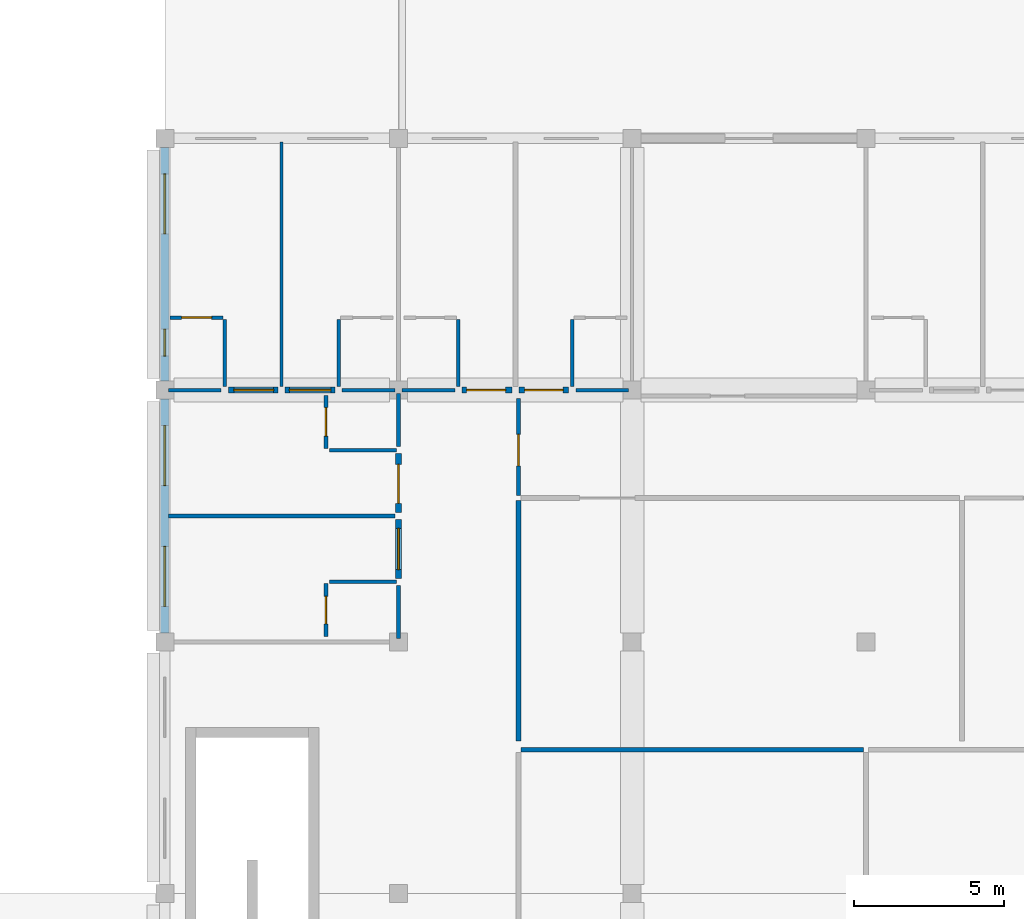
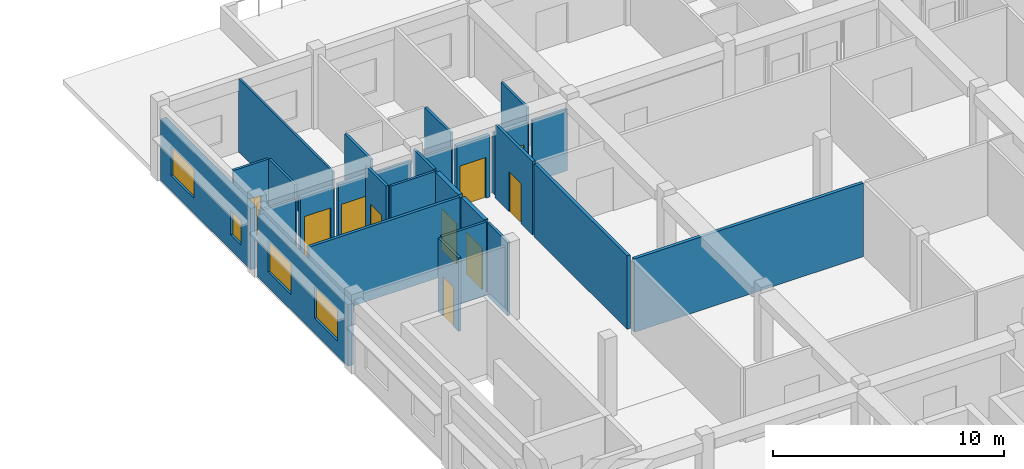
# One storey, part 21 of 32: 28 walls, 10 doors, 4 windows, 14 openings.
"""IFC4 building model written with IfcOpenShell, lengths in metres."""

from ifc_helpers import new_model, si_unit, direction, frame, frame_2d, origin, place, context, subcontext, project, spatial, rectangle, extrude, material, layer, layer_set, type_object, element, fill, save


model = new_model("IFC4")

# Units and contexts
model_context = context("Model", 3, precision=1e-05, world=origin(), true_north=direction((0.0, 1.0)))
body_context = subcontext(model_context, "Body", "Model", "MODEL_VIEW")
ifc_project = project(units=[si_unit("LENGTHUNIT", "METRE"), si_unit("AREAUNIT", "SQUARE_METRE"), si_unit("VOLUMEUNIT", "CUBIC_METRE"), si_unit("PLANEANGLEUNIT", "RADIAN"), si_unit("MASSUNIT", "GRAM", prefix="KILO"), si_unit("THERMODYNAMICTEMPERATUREUNIT", "KELVIN"), si_unit("POWERUNIT", "WATT")], contexts=[model_context])

# Site, building, storey
site_placement = place(None, origin())
site = spatial("IfcSite", under=ifc_project, at=site_placement, CompositionType="ELEMENT")
building_placement = place(site_placement, origin())
building = spatial("IfcBuilding", under=site, at=building_placement, Name="Srebrne Nadtorze General Hospital", CompositionType="ELEMENT")
storey_placement = place(building_placement, frame((0.0, 0.0, 29.699951171875)))
storey = spatial("IfcBuildingStorey", under=building, at=storey_placement, Name="L07", CompositionType="ELEMENT", Elevation=29.699951171875)

# Wall
ifc_material_1 = material(Name="Gypsum Healthcare Partition")
ifc_layer_1 = layer(ifc_material_1, 0.139892578125)
ifc_layer_set_1 = layer_set([ifc_layer_1], Name="Gypsum Healthcare Partition")
wall_type_1 = type_object("IfcWallType", Name="Clinical partition 140", PredefinedType="PARTITIONING", material=ifc_layer_set_1)
wall_1_placement = place(storey_placement, frame((101.52001953125, 71.39990234375, 0.0), z_axis=(0.0, 0.0, 1.0), x_axis=(1.0, 0.0, 0.0)))
element("IfcWall", 1, at=wall_1_placement, inside=storey, type_object=wall_type_1, Name="Ward inter-room partition WL-INT-L07-2412", PredefinedType="PARTITIONING", context=body_context, shape_type="SweptSolid", body=[
    extrude(rectangle(XDim=7.56005859375, YDim=0.139892578125, at=frame_2d((3.780029296875, 0.0))), origin(), (0.0, 0.0, 1.0), 3.880126953125),
])

# Wall, opening, door
wall_2_placement = place(storey_placement, frame((113.199951171875, 72.0849609375, 0.0), z_axis=(0.0, 0.0, 1.0), x_axis=(0.0, 1.0, 0.0)))
wall_2 = element("IfcWall", 2, at=wall_2_placement, inside=storey, type_object=wall_type_1, Name="Inpatient Ward Day Room wall WL-INT-L07-2465", PredefinedType="PARTITIONING", context=body_context, shape_type="SweptSolid", body=[
    extrude(rectangle(XDim=3.22998046875, YDim=0.139892578125, at=frame_2d((1.614990234375, 0.0))), origin(), (0.0, 0.0, 1.0), 3.880126953125),
])
opening_1_placement = place(wall_2_placement, frame((0.989990234375, 0.0, 0.0)))
opening_1 = element("IfcOpeningElement", 3, at=opening_1_placement, cuts=wall_2, Name="Opening D-L07-0605", PredefinedType="OPENING", context=body_context, shape_type="SweptSolid", body=[
    extrude(rectangle(XDim=1.050048828125, YDim=2.10009765625, at=frame_2d((0.52490234375, 1.050048828125))), frame((0.0, 0.08203125, 0.0), z_axis=(0.0, -1.0, 0.0), x_axis=(1.0, 0.0, 0.0)), (0.0, 0.0, 1.0), 0.163818359375),
])
ifc_material_2 = material(Name="Anodised Aluminium", Category="aluminium")
door_type_1 = type_object("IfcDoorType", Name="Single leaf door 1050x2100", OperationType="NOTDEFINED", PredefinedType="DOOR", material=ifc_material_2)
door_1_placement = place(opening_1_placement, frame((1.050048828125, 0.0, 0.0), z_axis=(0.0, 0.0, 1.0), x_axis=(-1.0, 0.0, 0.0)))
door_1 = element("IfcDoor", 4, at=door_1_placement, inside=storey, type_object=door_type_1, Name="Inpatient Ward Day Room link door D-L07-0605", OperationType="SINGLE_SWING_RIGHT", OverallHeight=2.10009765625, OverallWidth=1.050048828125, PredefinedType="DOOR", context=body_context, shape_type="SweptSolid", body=[
    extrude(rectangle(XDim=1.050048828125, YDim=2.10009765625, at=frame_2d((0.52490234375, 1.050048828125))), frame((0.0, 0.02490234375, 0.0), z_axis=(0.0, -1.0, 0.0), x_axis=(1.0, 0.0, 0.0)), (0.0, 0.0, 1.0), 0.050048828125),
])
fill(opening_1, door_1)

# Walls
ifc_material_3 = material(Name="Gypsum Healthcare Partition")
ifc_layer_2 = layer(ifc_material_3, 0.159912109375)
ifc_layer_set_2 = layer_set([ifc_layer_2], Name="Gypsum Healthcare Partition")
wall_type_2 = type_object("IfcWallType", Name="Clinical partition 160", PredefinedType="PARTITIONING", material=ifc_layer_set_2)
wall_3_placement = place(storey_placement, frame((113.284912109375, 63.60009765625, 0.0), z_axis=(0.0, 0.0, 1.0), x_axis=(1.0, 0.0, 0.0)))
element("IfcWall", 5, at=wall_3_placement, inside=storey, type_object=wall_type_2, Name="Nursing Station wall WL-INT-L07-2442", PredefinedType="PARTITIONING", context=body_context, shape_type="SweptSolid", body=[
    extrude(rectangle(XDim=11.43017578125, YDim=0.159912109375, at=frame_2d((5.715087890625, 0.0))), origin(), (0.0, 0.0, 1.0), 3.880126953125),
])
wall_4_placement = place(storey_placement, frame((113.199951171875, 63.885009765625, 0.0), z_axis=(0.0, 0.0, 1.0), x_axis=(0.0, 1.0, 0.0)))
element("IfcWall", 6, at=wall_4_placement, inside=storey, type_object=wall_type_2, Name="Neonatal Intensive Care wall WL-INT-L07-2452", PredefinedType="PARTITIONING", context=body_context, shape_type="SweptSolid", body=[
    extrude(rectangle(XDim=8.030029296875, YDim=0.159912109375, at=frame_2d((4.01513671875, 0.0))), origin(), (0.0, 0.0, 1.0), 3.880126953125),
])

# Wall, opening, door
ifc_material_4 = material(Name="Gypsum Healthcare Partition")
ifc_layer_3 = layer(ifc_material_4, 0.199951171875)
ifc_layer_set_3 = layer_set([ifc_layer_3], Name="Gypsum Healthcare Partition")
wall_type_3 = type_object("IfcWallType", Name="Compartment wall 200", PredefinedType="STANDARD", material=ifc_layer_set_3)
wall_5_placement = place(storey_placement, frame((103.52001953125, 75.60009765625, 0.0), z_axis=(0.0, 0.0, 1.0), x_axis=(1.0, 0.0, 0.0)))
wall_5 = element("IfcWall", 7, at=wall_5_placement, inside=storey, type_object=wall_type_3, Name="Ward corridor wall WL-INT-L07-2331", PredefinedType="STANDARD", context=body_context, shape_type="SweptSolid", body=[
    extrude(rectangle(XDim=1.659912109375, YDim=0.199951171875, at=frame_2d((0.830078125, 0.0))), origin(), (0.0, 0.0, 1.0), 3.25),
])
opening_2_placement = place(wall_5_placement, frame((0.18994140625, 0.0, 0.0)))
opening_2 = element("IfcOpeningElement", 8, at=opening_2_placement, cuts=wall_5, Name="Opening D-L07-0521", PredefinedType="OPENING", context=body_context, shape_type="SweptSolid", body=[
    extrude(rectangle(XDim=1.320068359375, YDim=2.199951171875, at=frame_2d((0.66015625, 1.10009765625))), frame((0.0, 0.11181640625, 0.0), z_axis=(0.0, -1.0, 0.0), x_axis=(1.0, 0.0, 0.0)), (0.0, 0.0, 1.0), 0.223876953125),
])
ifc_material_5 = material(Name="Anodised Aluminium", Category="aluminium")
door_type_2 = type_object("IfcDoorType", Name="Single leaf door 1320x2200", OperationType="NOTDEFINED", PredefinedType="DOOR", material=ifc_material_5)
door_2_placement = place(opening_2_placement, origin())
door_2 = element("IfcDoor", 9, at=door_2_placement, inside=storey, type_object=door_type_2, Name="Ward patient room door D-L07-0521", OperationType="SINGLE_SWING_RIGHT", OverallHeight=2.199951171875, OverallWidth=1.320068359375, PredefinedType="DOOR", context=body_context, shape_type="SweptSolid", body=[
    extrude(rectangle(XDim=1.320068359375, YDim=2.199951171875, at=frame_2d((0.66015625, 1.10009765625))), frame((0.0, 0.02490234375, 0.0), z_axis=(0.0, -1.0, 0.0), x_axis=(1.0, 0.0, 0.0)), (0.0, 0.0, 1.0), 0.050048828125),
])
fill(opening_2, door_2)

wall_6_placement = place(storey_placement, frame((105.419921875, 75.60009765625, 0.0), z_axis=(0.0, 0.0, 1.0), x_axis=(1.0, 0.0, 0.0)))
wall_6 = element("IfcWall", 10, at=wall_6_placement, inside=storey, type_object=wall_type_3, Name="Ward corridor wall WL-INT-L07-2336", PredefinedType="STANDARD", context=body_context, shape_type="SweptSolid", body=[
    extrude(rectangle(XDim=1.66015625, YDim=0.199951171875, at=frame_2d((0.830078125, 0.0))), origin(), (0.0, 0.0, 1.0), 3.25),
])
opening_3_placement = place(wall_6_placement, frame((0.139892578125, 0.0, 0.0)))
opening_3 = element("IfcOpeningElement", 11, at=opening_3_placement, cuts=wall_6, Name="Opening D-L07-0523", PredefinedType="OPENING", context=body_context, shape_type="SweptSolid", body=[
    extrude(rectangle(XDim=1.3798828125, YDim=2.199951171875, at=frame_2d((0.68994140625, 1.10009765625))), frame((0.0, 0.11181640625, 0.0), z_axis=(0.0, -1.0, 0.0), x_axis=(1.0, 0.0, 0.0)), (0.0, 0.0, 1.0), 0.223876953125),
])
ifc_material_6 = material(Name="Anodised Aluminium", Category="aluminium")
door_type_3 = type_object("IfcDoorType", Name="Single leaf door 1380x2200", OperationType="NOTDEFINED", PredefinedType="DOOR", material=ifc_material_6)
door_3_placement = place(opening_3_placement, origin())
door_3 = element("IfcDoor", 12, at=door_3_placement, inside=storey, type_object=door_type_3, Name="Ward patient room door D-L07-0523", OperationType="SINGLE_SWING_LEFT", OverallHeight=2.199951171875, OverallWidth=1.3798828125, PredefinedType="DOOR", context=body_context, shape_type="SweptSolid", body=[
    extrude(rectangle(XDim=1.3798828125, YDim=2.199951171875, at=frame_2d((0.68994140625, 1.10009765625))), frame((0.0, 0.02490234375, 0.0), z_axis=(0.0, -1.0, 0.0), x_axis=(1.0, 0.0, 0.0)), (0.0, 0.0, 1.0), 0.050048828125),
])
fill(opening_3, door_3)

wall_7_placement = place(storey_placement, frame((111.320068359375, 75.60009765625, 0.0), z_axis=(0.0, 0.0, 1.0), x_axis=(1.0, 0.0, 0.0)))
wall_7 = element("IfcWall", 13, at=wall_7_placement, inside=storey, type_object=wall_type_3, Name="Ward corridor wall WL-INT-L07-2341", PredefinedType="STANDARD", context=body_context, shape_type="SweptSolid", body=[
    extrude(rectangle(XDim=1.659912109375, YDim=0.199951171875, at=frame_2d((0.830078125, 0.0))), origin(), (0.0, 0.0, 1.0), 3.25),
])
opening_4_placement = place(wall_7_placement, frame((0.155029296875, 0.0, 0.0)))
opening_4 = element("IfcOpeningElement", 14, at=opening_4_placement, cuts=wall_7, Name="Opening D-L07-0525", PredefinedType="OPENING", context=body_context, shape_type="SweptSolid", body=[
    extrude(rectangle(XDim=1.300048828125, YDim=2.14990234375, at=frame_2d((0.64990234375, 1.074951171875))), frame((0.0, 0.11181640625, 0.0), z_axis=(0.0, -1.0, 0.0), x_axis=(1.0, 0.0, 0.0)), (0.0, 0.0, 1.0), 0.223876953125),
])
ifc_material_7 = material(Name="Anodised Aluminium", Category="aluminium")
door_type_4 = type_object("IfcDoorType", Name="Single leaf door 1300x2150", OperationType="NOTDEFINED", PredefinedType="DOOR", material=ifc_material_7)
door_4_placement = place(opening_4_placement, origin())
door_4 = element("IfcDoor", 15, at=door_4_placement, inside=storey, type_object=door_type_4, Name="Ward patient room door D-L07-0525", OperationType="SINGLE_SWING_RIGHT", OverallHeight=2.14990234375, OverallWidth=1.300048828125, PredefinedType="DOOR", context=body_context, shape_type="SweptSolid", body=[
    extrude(rectangle(XDim=1.300048828125, YDim=2.14990234375, at=frame_2d((0.64990234375, 1.074951171875))), frame((0.0, 0.02490234375, 0.0), z_axis=(0.0, -1.0, 0.0), x_axis=(1.0, 0.0, 0.0)), (0.0, 0.0, 1.0), 0.050048828125),
])
fill(opening_4, door_4)

wall_8_placement = place(storey_placement, frame((113.219970703125, 75.60009765625, 0.0), z_axis=(0.0, 0.0, 1.0), x_axis=(1.0, 0.0, 0.0)))
wall_8 = element("IfcWall", 16, at=wall_8_placement, inside=storey, type_object=wall_type_3, Name="Ward corridor wall WL-INT-L07-2346", PredefinedType="STANDARD", context=body_context, shape_type="SweptSolid", body=[
    extrude(rectangle(XDim=1.659912109375, YDim=0.199951171875, at=frame_2d((0.830078125, 0.0))), origin(), (0.0, 0.0, 1.0), 3.25),
])
opening_5_placement = place(wall_8_placement, frame((0.18994140625, 0.0, 0.0)))
opening_5 = element("IfcOpeningElement", 17, at=opening_5_placement, cuts=wall_8, Name="Opening D-L07-0527", PredefinedType="OPENING", context=body_context, shape_type="SweptSolid", body=[
    extrude(rectangle(XDim=1.280029296875, YDim=2.14990234375, at=frame_2d((0.64013671875, 1.074951171875))), frame((0.0, 0.11181640625, 0.0), z_axis=(0.0, -1.0, 0.0), x_axis=(1.0, 0.0, 0.0)), (0.0, 0.0, 1.0), 0.223876953125),
])
ifc_material_8 = material(Name="Anodised Aluminium", Category="aluminium")
door_type_5 = type_object("IfcDoorType", Name="Single leaf door 1280x2150", OperationType="NOTDEFINED", PredefinedType="DOOR", material=ifc_material_8)
door_5_placement = place(opening_5_placement, origin())
door_5 = element("IfcDoor", 18, at=door_5_placement, inside=storey, type_object=door_type_5, Name="Ward patient room door D-L07-0527", OperationType="SINGLE_SWING_LEFT", OverallHeight=2.14990234375, OverallWidth=1.280029296875, PredefinedType="DOOR", context=body_context, shape_type="SweptSolid", body=[
    extrude(rectangle(XDim=1.280029296875, YDim=2.14990234375, at=frame_2d((0.64013671875, 1.074951171875))), frame((0.0, 0.02490234375, 0.0), z_axis=(0.0, -1.0, 0.0), x_axis=(1.0, 0.0, 0.0)), (0.0, 0.0, 1.0), 0.050048828125),
])
fill(opening_5, door_5)

wall_9_placement = place(storey_placement, frame((109.199951171875, 69.320068359375, 0.0), z_axis=(0.0, 0.0, 1.0), x_axis=(0.0, 1.0, 0.0)))
wall_9 = element("IfcWall", 19, at=wall_9_placement, inside=storey, type_object=wall_type_3, Name="Ward corridor wall WL-INT-L07-2413", PredefinedType="STANDARD", context=body_context, shape_type="SweptSolid", body=[
    extrude(rectangle(XDim=1.9599609375, YDim=0.199951171875, at=frame_2d((0.97998046875, 0.0))), origin(), (0.0, 0.0, 1.0), 3.880126953125),
])
opening_6_placement = place(wall_9_placement, frame((0.2900390625, 0.0, 0.0)))
opening_6 = element("IfcOpeningElement", 20, at=opening_6_placement, cuts=wall_9, Name="Opening D-L07-0553", PredefinedType="OPENING", context=body_context, shape_type="SweptSolid", body=[
    extrude(rectangle(XDim=1.3798828125, YDim=2.199951171875, at=frame_2d((0.68994140625, 1.10009765625))), frame((0.0, 0.11181640625, 0.0), z_axis=(0.0, -1.0, 0.0), x_axis=(1.0, 0.0, 0.0)), (0.0, 0.0, 1.0), 0.223876953125),
])
door_6_placement = place(opening_6_placement, origin())
door_6 = element("IfcDoor", 21, at=door_6_placement, inside=storey, type_object=door_type_3, Name="Ward patient room door D-L07-0553", OperationType="SINGLE_SWING_LEFT", OverallHeight=2.199951171875, OverallWidth=1.3798828125, PredefinedType="DOOR", context=body_context, shape_type="SweptSolid", body=[
    extrude(rectangle(XDim=1.3798828125, YDim=2.199951171875, at=frame_2d((0.68994140625, 1.10009765625))), frame((0.0, 0.02490234375, 0.0), z_axis=(0.0, -1.0, 0.0), x_axis=(1.0, 0.0, 0.0)), (0.0, 0.0, 1.0), 0.050048828125),
])
fill(opening_6, door_6)

wall_10_placement = place(storey_placement, frame((109.199951171875, 71.52001953125, 0.0), z_axis=(0.0, 0.0, 1.0), x_axis=(0.0, 1.0, 0.0)))
wall_10 = element("IfcWall", 22, at=wall_10_placement, inside=storey, type_object=wall_type_3, Name="Ward corridor wall WL-INT-L07-2417", PredefinedType="STANDARD", context=body_context, shape_type="SweptSolid", body=[
    extrude(rectangle(XDim=1.9599609375, YDim=0.199951171875, at=frame_2d((0.97998046875, 0.0))), origin(), (0.0, 0.0, 1.0), 3.880126953125),
])
opening_7_placement = place(wall_10_placement, frame((0.304931640625, 0.0, 0.0)))
opening_7 = element("IfcOpeningElement", 23, at=opening_7_placement, cuts=wall_10, Name="Opening D-L07-0555", PredefinedType="OPENING", context=body_context, shape_type="SweptSolid", body=[
    extrude(rectangle(XDim=1.300048828125, YDim=2.14990234375, at=frame_2d((0.64990234375, 1.074951171875))), frame((0.0, 0.11181640625, 0.0), z_axis=(0.0, -1.0, 0.0), x_axis=(1.0, 0.0, 0.0)), (0.0, 0.0, 1.0), 0.223876953125),
])
door_7_placement = place(opening_7_placement, origin())
door_7 = element("IfcDoor", 24, at=door_7_placement, inside=storey, type_object=door_type_4, Name="Ward patient room door D-L07-0555", OperationType="SINGLE_SWING_RIGHT", OverallHeight=2.14990234375, OverallWidth=1.300048828125, PredefinedType="DOOR", context=body_context, shape_type="SweptSolid", body=[
    extrude(rectangle(XDim=1.300048828125, YDim=2.14990234375, at=frame_2d((0.64990234375, 1.074951171875))), frame((0.0, 0.02490234375, 0.0), z_axis=(0.0, -1.0, 0.0), x_axis=(1.0, 0.0, 0.0)), (0.0, 0.0, 1.0), 0.050048828125),
])
fill(opening_7, door_7)

# Walls
ifc_material_9 = material(Name="Gypsum Healthcare Partition")
ifc_layer_4 = layer(ifc_material_9, 0.1201171875)
ifc_layer_set_4 = layer_set([ifc_layer_4], Name="Gypsum Healthcare Partition")
wall_type_4 = type_object("IfcWallType", Name="En-suite partition 120", PredefinedType="PARTITIONING", material=ifc_layer_set_4)
wall_11_placement = place(storey_placement, frame((101.52001953125, 75.60009765625, 0.0), z_axis=(0.0, 0.0, 1.0), x_axis=(1.0, 0.0, 0.0)))
element("IfcWall", 25, at=wall_11_placement, inside=storey, type_object=wall_type_4, Name="En-suite corridor wall WL-INT-L07-2332", PredefinedType="PARTITIONING", context=body_context, shape_type="SweptSolid", body=[
    extrude(rectangle(XDim=1.760009765625, YDim=0.1201171875, at=frame_2d((0.8798828125, 0.0))), origin(), (0.0, 0.0, 1.0), 3.25),
])
wall_12_placement = place(storey_placement, frame((103.39990234375, 75.719970703125, 0.0), z_axis=(0.0, 0.0, 1.0), x_axis=(0.0, 1.0, 0.0)))
element("IfcWall", 26, at=wall_12_placement, inside=storey, type_object=wall_type_4, Name="En-suite wet wall WL-INT-L07-2333", PredefinedType="PARTITIONING", context=body_context, shape_type="SweptSolid", body=[
    extrude(rectangle(XDim=2.239990234375, YDim=0.1201171875, at=frame_2d((1.1201171875, 0.0))), origin(), (0.0, 0.0, 1.0), 3.880126953125),
])

# Wall, opening, door
wall_13_placement = place(storey_placement, frame((101.580078125, 78.02001953125, 0.0), z_axis=(0.0, 0.0, 1.0), x_axis=(1.0, 0.0, 0.0)))
wall_13 = element("IfcWall", 27, at=wall_13_placement, inside=storey, type_object=wall_type_4, Name="En-suite wet wall WL-INT-L07-2334", PredefinedType="PARTITIONING", context=body_context, shape_type="SweptSolid", body=[
    extrude(rectangle(XDim=1.760009765625, YDim=0.1201171875, at=frame_2d((0.8798828125, 0.0))), origin(), (0.0, 0.0, 1.0), 3.880126953125),
])
opening_8_placement = place(wall_13_placement, frame((0.3798828125, 0.0, 0.0)))
opening_8 = element("IfcOpeningElement", 28, at=opening_8_placement, cuts=wall_13, Name="Opening D-L07-0522", PredefinedType="OPENING", context=body_context, shape_type="SweptSolid", body=[
    extrude(rectangle(XDim=1.0, YDim=2.10009765625, at=frame_2d((0.5, 1.050048828125))), frame((0.0, 0.072021484375, 0.0), z_axis=(0.0, -1.0, 0.0), x_axis=(1.0, 0.0, 0.0)), (0.0, 0.0, 1.0), 0.14404296875),
])
ifc_material_10 = material(Name="Anodised Aluminium", Category="aluminium")
door_type_6 = type_object("IfcDoorType", Name="Single leaf door 1000x2100", OperationType="NOTDEFINED", PredefinedType="DOOR", material=ifc_material_10)
door_8_placement = place(opening_8_placement, frame((1.0, 0.0, 0.0), z_axis=(0.0, 0.0, 1.0), x_axis=(-1.0, 0.0, 0.0)))
door_8 = element("IfcDoor", 29, at=door_8_placement, inside=storey, type_object=door_type_6, Name="En-suite bathroom door D-L07-0522", OperationType="SINGLE_SWING_LEFT", OverallHeight=2.10009765625, OverallWidth=1.0, PredefinedType="DOOR", context=body_context, shape_type="SweptSolid", body=[
    extrude(rectangle(XDim=1.0, YDim=2.10009765625, at=frame_2d((0.5, 1.050048828125))), frame((0.0, 0.02490234375, 0.0), z_axis=(0.0, -1.0, 0.0), x_axis=(1.0, 0.0, 0.0)), (0.0, 0.0, 1.0), 0.050048828125),
])
fill(opening_8, door_8)

# Walls
wall_14_placement = place(storey_placement, frame((107.320068359375, 75.60009765625, 0.0), z_axis=(0.0, 0.0, 1.0), x_axis=(1.0, 0.0, 0.0)))
element("IfcWall", 30, at=wall_14_placement, inside=storey, type_object=wall_type_4, Name="En-suite corridor wall WL-INT-L07-2337", PredefinedType="PARTITIONING", context=body_context, shape_type="SweptSolid", body=[
    extrude(rectangle(XDim=1.760009765625, YDim=0.1201171875, at=frame_2d((0.8798828125, 0.0))), origin(), (0.0, 0.0, 1.0), 3.25),
])
wall_15_placement = place(storey_placement, frame((107.199951171875, 75.719970703125, 0.0), z_axis=(0.0, 0.0, 1.0), x_axis=(0.0, 1.0, 0.0)))
element("IfcWall", 31, at=wall_15_placement, inside=storey, type_object=wall_type_4, Name="En-suite wet wall WL-INT-L07-2338", PredefinedType="PARTITIONING", context=body_context, shape_type="SweptSolid", body=[
    extrude(rectangle(XDim=2.239990234375, YDim=0.1201171875, at=frame_2d((1.1201171875, 0.0))), origin(), (0.0, 0.0, 1.0), 3.880126953125),
])
wall_16_placement = place(storey_placement, frame((109.320068359375, 75.60009765625, 0.0), z_axis=(0.0, 0.0, 1.0), x_axis=(1.0, 0.0, 0.0)))
element("IfcWall", 32, at=wall_16_placement, inside=storey, type_object=wall_type_4, Name="En-suite corridor wall WL-INT-L07-2342", PredefinedType="PARTITIONING", context=body_context, shape_type="SweptSolid", body=[
    extrude(rectangle(XDim=1.760009765625, YDim=0.1201171875, at=frame_2d((0.8798828125, 0.0))), origin(), (0.0, 0.0, 1.0), 3.25),
])
wall_17_placement = place(storey_placement, frame((111.199951171875, 75.719970703125, 0.0), z_axis=(0.0, 0.0, 1.0), x_axis=(0.0, 1.0, 0.0)))
element("IfcWall", 33, at=wall_17_placement, inside=storey, type_object=wall_type_4, Name="En-suite wet wall WL-INT-L07-2343", PredefinedType="PARTITIONING", context=body_context, shape_type="SweptSolid", body=[
    extrude(rectangle(XDim=2.239990234375, YDim=0.1201171875, at=frame_2d((1.1201171875, 0.0))), origin(), (0.0, 0.0, 1.0), 3.880126953125),
])
wall_18_placement = place(storey_placement, frame((115.1201171875, 75.60009765625, 0.0), z_axis=(0.0, 0.0, 1.0), x_axis=(1.0, 0.0, 0.0)))
element("IfcWall", 34, at=wall_18_placement, inside=storey, type_object=wall_type_4, Name="En-suite corridor wall WL-INT-L07-2347", PredefinedType="PARTITIONING", context=body_context, shape_type="SweptSolid", body=[
    extrude(rectangle(XDim=1.759765625, YDim=0.1201171875, at=frame_2d((0.8798828125, 0.0))), origin(), (0.0, 0.0, 1.0), 3.25),
])
wall_19_placement = place(storey_placement, frame((115.0, 75.719970703125, 0.0), z_axis=(0.0, 0.0, 1.0), x_axis=(0.0, 1.0, 0.0)))
element("IfcWall", 35, at=wall_19_placement, inside=storey, type_object=wall_type_4, Name="En-suite wet wall WL-INT-L07-2348", PredefinedType="PARTITIONING", context=body_context, shape_type="SweptSolid", body=[
    extrude(rectangle(XDim=2.239990234375, YDim=0.1201171875, at=frame_2d((1.1201171875, 0.0))), origin(), (0.0, 0.0, 1.0), 3.880126953125),
])
wall_20_placement = place(storey_placement, frame((109.199951171875, 67.320068359375, 0.0), z_axis=(0.0, 0.0, 1.0), x_axis=(0.0, 1.0, 0.0)))
element("IfcWall", 36, at=wall_20_placement, inside=storey, type_object=wall_type_4, Name="En-suite corridor wall WL-INT-L07-2414", PredefinedType="PARTITIONING", context=body_context, shape_type="SweptSolid", body=[
    extrude(rectangle(XDim=1.760009765625, YDim=0.1201171875, at=frame_2d((0.8798828125, 0.0))), origin(), (0.0, 0.0, 1.0), 3.880126953125),
])
wall_21_placement = place(storey_placement, frame((106.89990234375, 69.199951171875, 0.0), z_axis=(0.0, 0.0, 1.0), x_axis=(1.0, 0.0, 0.0)))
element("IfcWall", 37, at=wall_21_placement, inside=storey, type_object=wall_type_4, Name="En-suite wet wall WL-INT-L07-2415", PredefinedType="PARTITIONING", context=body_context, shape_type="SweptSolid", body=[
    extrude(rectangle(XDim=2.239990234375, YDim=0.1201171875, at=frame_2d((1.1201171875, 0.0))), origin(), (0.0, 0.0, 1.0), 3.880126953125),
])

# Wall, opening, door
wall_22_placement = place(storey_placement, frame((106.780029296875, 67.3798828125, 0.0), z_axis=(0.0, 0.0, 1.0), x_axis=(0.0, 1.0, 0.0)))
wall_22 = element("IfcWall", 38, at=wall_22_placement, inside=storey, type_object=wall_type_4, Name="En-suite wet wall WL-INT-L07-2416", PredefinedType="PARTITIONING", context=body_context, shape_type="SweptSolid", body=[
    extrude(rectangle(XDim=1.760009765625, YDim=0.1201171875, at=frame_2d((0.8798828125, 0.0))), origin(), (0.0, 0.0, 1.0), 3.880126953125),
])
opening_9_placement = place(wall_22_placement, frame((0.419921875, 0.0, 0.0)))
opening_9 = element("IfcOpeningElement", 39, at=opening_9_placement, cuts=wall_22, Name="Opening D-L07-0554", PredefinedType="OPENING", context=body_context, shape_type="SweptSolid", body=[
    extrude(rectangle(XDim=0.919921875, YDim=2.080078125, at=frame_2d((0.4599609375, 1.0400390625))), frame((0.0, 0.072021484375, 0.0), z_axis=(0.0, -1.0, 0.0), x_axis=(1.0, 0.0, 0.0)), (0.0, 0.0, 1.0), 0.14404296875),
])
ifc_material_11 = material(Name="Anodised Aluminium", Category="aluminium")
door_type_7 = type_object("IfcDoorType", Name="Single leaf door 920x2080", OperationType="NOTDEFINED", PredefinedType="DOOR", material=ifc_material_11)
door_9_placement = place(opening_9_placement, frame((0.919921875, 0.0, 0.0), z_axis=(0.0, 0.0, 1.0), x_axis=(-1.0, 0.0, 0.0)))
door_9 = element("IfcDoor", 40, at=door_9_placement, inside=storey, type_object=door_type_7, Name="En-suite bathroom door D-L07-0554", OperationType="SINGLE_SWING_LEFT", OverallHeight=2.080078125, OverallWidth=0.919921875, PredefinedType="DOOR", context=body_context, shape_type="SweptSolid", body=[
    extrude(rectangle(XDim=0.919921875, YDim=2.080078125, at=frame_2d((0.4599609375, 1.0400390625))), frame((0.0, 0.02490234375, 0.0), z_axis=(0.0, -1.0, 0.0), x_axis=(1.0, 0.0, 0.0)), (0.0, 0.0, 1.0), 0.050048828125),
])
fill(opening_9, door_9)

# Walls
wall_23_placement = place(storey_placement, frame((109.199951171875, 73.719970703125, 0.0), z_axis=(0.0, 0.0, 1.0), x_axis=(0.0, 1.0, 0.0)))
element("IfcWall", 41, at=wall_23_placement, inside=storey, type_object=wall_type_4, Name="En-suite corridor wall WL-INT-L07-2418", PredefinedType="PARTITIONING", context=body_context, shape_type="SweptSolid", body=[
    extrude(rectangle(XDim=1.760009765625, YDim=0.1201171875, at=frame_2d((0.8798828125, 0.0))), origin(), (0.0, 0.0, 1.0), 3.880126953125),
])
wall_24_placement = place(storey_placement, frame((106.89990234375, 73.60009765625, 0.0), z_axis=(0.0, 0.0, 1.0), x_axis=(1.0, 0.0, 0.0)))
element("IfcWall", 42, at=wall_24_placement, inside=storey, type_object=wall_type_4, Name="En-suite wet wall WL-INT-L07-2419", PredefinedType="PARTITIONING", context=body_context, shape_type="SweptSolid", body=[
    extrude(rectangle(XDim=2.239990234375, YDim=0.1201171875, at=frame_2d((1.1201171875, 0.0))), origin(), (0.0, 0.0, 1.0), 3.880126953125),
])

# Wall, opening, door
wall_25_placement = place(storey_placement, frame((106.780029296875, 73.659912109375, 0.0), z_axis=(0.0, 0.0, 1.0), x_axis=(0.0, 1.0, 0.0)))
wall_25 = element("IfcWall", 43, at=wall_25_placement, inside=storey, type_object=wall_type_4, Name="En-suite wet wall WL-INT-L07-2420", PredefinedType="PARTITIONING", context=body_context, shape_type="SweptSolid", body=[
    extrude(rectangle(XDim=1.760009765625, YDim=0.1201171875, at=frame_2d((0.8798828125, 0.0))), origin(), (0.0, 0.0, 1.0), 3.880126953125),
])
opening_10_placement = place(wall_25_placement, frame((0.405029296875, 0.0, 0.0)))
opening_10 = element("IfcOpeningElement", 44, at=opening_10_placement, cuts=wall_25, Name="Opening D-L07-0556", PredefinedType="OPENING", context=body_context, shape_type="SweptSolid", body=[
    extrude(rectangle(XDim=0.949951171875, YDim=2.10009765625, at=frame_2d((0.47509765625, 1.050048828125))), frame((0.0, 0.072021484375, 0.0), z_axis=(0.0, -1.0, 0.0), x_axis=(1.0, 0.0, 0.0)), (0.0, 0.0, 1.0), 0.14404296875),
])
ifc_material_12 = material(Name="Anodised Aluminium", Category="aluminium")
door_type_8 = type_object("IfcDoorType", Name="Single leaf door 950x2100", OperationType="NOTDEFINED", PredefinedType="DOOR", material=ifc_material_12)
door_10_placement = place(opening_10_placement, frame((0.949951171875, 0.0, 0.0), z_axis=(0.0, 0.0, 1.0), x_axis=(-1.0, 0.0, 0.0)))
door_10 = element("IfcDoor", 45, at=door_10_placement, inside=storey, type_object=door_type_8, Name="En-suite bathroom door D-L07-0556", OperationType="SINGLE_SWING_LEFT", OverallHeight=2.10009765625, OverallWidth=0.949951171875, PredefinedType="DOOR", context=body_context, shape_type="SweptSolid", body=[
    extrude(rectangle(XDim=0.949951171875, YDim=2.10009765625, at=frame_2d((0.47509765625, 1.050048828125))), frame((0.0, 0.02490234375, 0.0), z_axis=(0.0, -1.0, 0.0), x_axis=(1.0, 0.0, 0.0)), (0.0, 0.0, 1.0), 0.050048828125),
])
fill(opening_10, door_10)

# Wall
ifc_material_13 = material(Name="Gypsum Healthcare Partition")
ifc_layer_5 = layer(ifc_material_13, 0.10009765625)
ifc_layer_set_5 = layer_set([ifc_layer_5], Name="Gypsum Healthcare Partition")
wall_type_5 = type_object("IfcWallType", Name="Shaft lining wall 100", PredefinedType="PARTITIONING", material=ifc_layer_set_5)
wall_26_placement = place(storey_placement, frame((105.300048828125, 75.719970703125, 0.0), z_axis=(0.0, 0.0, 1.0), x_axis=(0.0, 1.0, 0.0)))
element("IfcWall", 46, at=wall_26_placement, inside=storey, type_object=wall_type_5, Name="Ward inter-room partition WL-INT-L07-2330", PredefinedType="PARTITIONING", context=body_context, shape_type="SweptSolid", body=[
    extrude(rectangle(XDim=8.159912109375, YDim=0.10009765625, at=frame_2d((4.080078125, 0.0))), origin(), (0.0, 0.0, 1.0), 3.880126953125),
])

# Wall, openings, windows
ifc_material_14 = material(Name="Concrete C35/45 precast", Category="concrete")
ifc_layer_6 = layer(ifc_material_14, 0.280029296875)
ifc_layer_set_6 = layer_set([ifc_layer_6], Name="Concrete C35/45 precast")
wall_type_6 = type_object("IfcWallType", Name="Spandrel wall 280", PredefinedType="STANDARD", material=ifc_layer_set_6)
wall_27_placement = place(storey_placement, frame((101.39990234375, 67.5, 0.0), z_axis=(0.0, 0.0, 1.0), x_axis=(0.0, 1.0, 0.0)))
wall_27 = element("IfcWall", 47, at=wall_27_placement, inside=storey, type_object=wall_type_6, Name="Exterior wall WL-ENV-L07-0542", PredefinedType="STANDARD", context=body_context, shape_type="SweptSolid", body=[
    extrude(rectangle(XDim=7.800048828125, YDim=0.280029296875, at=frame_2d((3.89990234375, 0.0))), origin(), (0.0, 0.0, 1.0), 3.25),
])
opening_11_placement = place(wall_27_placement, frame((0.884033203125, 0.0, 0.800048828125)))
opening_11 = element("IfcOpeningElement", 48, at=opening_11_placement, cuts=wall_27, Name="Opening WN-L07-0912", PredefinedType="OPENING", context=body_context, shape_type="SweptSolid", body=[
    extrude(rectangle(XDim=2.0, YDim=1.64990234375, at=frame_2d((1.0, 0.824951171875))), frame((0.0, 0.15185546875, 0.0), z_axis=(0.0, -1.0, 0.0), x_axis=(1.0, 0.0, 0.0)), (0.0, 0.0, 1.0), 0.303955078125),
])
opening_12_placement = place(wall_27_placement, frame((4.916015625, 0.0, 0.800048828125)))
opening_12 = element("IfcOpeningElement", 49, at=opening_12_placement, cuts=wall_27, Name="Opening WN-L07-0913", PredefinedType="OPENING", context=body_context, shape_type="SweptSolid", body=[
    extrude(rectangle(XDim=2.0, YDim=1.64990234375, at=frame_2d((1.0, 0.824951171875))), frame((0.0, 0.15185546875, 0.0), z_axis=(0.0, -1.0, 0.0), x_axis=(1.0, 0.0, 0.0)), (0.0, 0.0, 1.0), 0.303955078125),
])
ifc_material_15 = material(Name="Triple Low-E Glazing", Category="glass")
window_type_1 = type_object("IfcWindowType", Name="Punched clinical window 2000x1650", PartitioningType="DOUBLE_PANEL_VERTICAL", PredefinedType="WINDOW", material=ifc_material_15)
window_1_placement = place(opening_11_placement, origin())
window_1 = element("IfcWindow", 50, at=window_1_placement, inside=storey, type_object=window_type_1, Name="Clinical window WN-L07-0912", OverallHeight=1.64990234375, OverallWidth=2.0, PartitioningType="DOUBLE_PANEL_VERTICAL", PredefinedType="WINDOW", context=body_context, shape_type="SweptSolid", body=[
    extrude(rectangle(XDim=2.0, YDim=1.64990234375, at=frame_2d((1.0, 0.824951171875))), frame((0.0, 0.030029296875, 0.0), z_axis=(0.0, -1.0, 0.0), x_axis=(1.0, 0.0, 0.0)), (0.0, 0.0, 1.0), 0.06005859375),
])
fill(opening_11, window_1)
window_2_placement = place(opening_12_placement, origin())
window_2 = element("IfcWindow", 51, at=window_2_placement, inside=storey, type_object=window_type_1, Name="Clinical window WN-L07-0913", OverallHeight=1.64990234375, OverallWidth=2.0, PartitioningType="DOUBLE_PANEL_VERTICAL", PredefinedType="WINDOW", context=body_context, shape_type="SweptSolid", body=[
    extrude(rectangle(XDim=2.0, YDim=1.64990234375, at=frame_2d((1.0, 0.824951171875))), frame((0.0, 0.030029296875, 0.0), z_axis=(0.0, -1.0, 0.0), x_axis=(1.0, 0.0, 0.0)), (0.0, 0.0, 1.0), 0.06005859375),
])
fill(opening_12, window_2)

wall_28_placement = place(storey_placement, frame((101.39990234375, 75.89990234375, 0.0), z_axis=(0.0, 0.0, 1.0), x_axis=(0.0, 1.0, 0.0)))
wall_28 = element("IfcWall", 52, at=wall_28_placement, inside=storey, type_object=wall_type_6, Name="Exterior wall WL-ENV-L07-0543", PredefinedType="STANDARD", context=body_context, shape_type="SweptSolid", body=[
    extrude(rectangle(XDim=7.800048828125, YDim=0.280029296875, at=frame_2d((3.89990234375, 0.0))), origin(), (0.0, 0.0, 1.0), 3.25),
])
opening_13_placement = place(wall_28_placement, frame((0.833984375, 0.0, 0.800048828125)))
opening_13 = element("IfcOpeningElement", 53, at=opening_13_placement, cuts=wall_28, Name="Opening WN-L07-0914", PredefinedType="OPENING", context=body_context, shape_type="SweptSolid", body=[
    extrude(rectangle(XDim=0.89990234375, YDim=1.300048828125, at=frame_2d((0.449951171875, 0.64990234375))), frame((0.0, 0.15185546875, 0.0), z_axis=(0.0, -1.0, 0.0), x_axis=(1.0, 0.0, 0.0)), (0.0, 0.0, 1.0), 0.303955078125),
])
opening_14_placement = place(wall_28_placement, frame((4.916015625, 0.0, 0.800048828125)))
opening_14 = element("IfcOpeningElement", 54, at=opening_14_placement, cuts=wall_28, Name="Opening WN-L07-0915", PredefinedType="OPENING", context=body_context, shape_type="SweptSolid", body=[
    extrude(rectangle(XDim=2.0, YDim=1.550048828125, at=frame_2d((1.0, 0.77490234375))), frame((0.0, 0.15185546875, 0.0), z_axis=(0.0, -1.0, 0.0), x_axis=(1.0, 0.0, 0.0)), (0.0, 0.0, 1.0), 0.303955078125),
])
ifc_material_16 = material(Name="Triple Low-E Glazing", Category="glass")
window_type_2 = type_object("IfcWindowType", Name="Punched clinical window 2000x1550", PartitioningType="DOUBLE_PANEL_VERTICAL", PredefinedType="WINDOW", material=ifc_material_16)
window_3_placement = place(opening_14_placement, origin())
window_3 = element("IfcWindow", 55, at=window_3_placement, inside=storey, type_object=window_type_2, Name="Clinical window WN-L07-0915", OverallHeight=1.550048828125, OverallWidth=2.0, PartitioningType="DOUBLE_PANEL_VERTICAL", PredefinedType="WINDOW", context=body_context, shape_type="SweptSolid", body=[
    extrude(rectangle(XDim=2.0, YDim=1.550048828125, at=frame_2d((1.0, 0.77490234375))), frame((0.0, 0.030029296875, 0.0), z_axis=(0.0, -1.0, 0.0), x_axis=(1.0, 0.0, 0.0)), (0.0, 0.0, 1.0), 0.06005859375),
])
fill(opening_14, window_3)
ifc_material_17 = material(Name="Triple Low-E Glazing", Category="glass")
window_type_3 = type_object("IfcWindowType", Name="Punched clinical window 900x1300", PartitioningType="SINGLE_PANEL", PredefinedType="WINDOW", material=ifc_material_17)
window_4_placement = place(opening_13_placement, origin())
window_4 = element("IfcWindow", 56, at=window_4_placement, inside=storey, type_object=window_type_3, Name="Clinical window WN-L07-0914", OverallHeight=1.300048828125, OverallWidth=0.89990234375, PartitioningType="SINGLE_PANEL", PredefinedType="WINDOW", context=body_context, shape_type="SweptSolid", body=[
    extrude(rectangle(XDim=0.89990234375, YDim=1.300048828125, at=frame_2d((0.449951171875, 0.64990234375))), frame((0.0, 0.030029296875, 0.0), z_axis=(0.0, -1.0, 0.0), x_axis=(1.0, 0.0, 0.0)), (0.0, 0.0, 1.0), 0.06005859375),
])
fill(opening_13, window_4)

save(model, "model.ifc")
